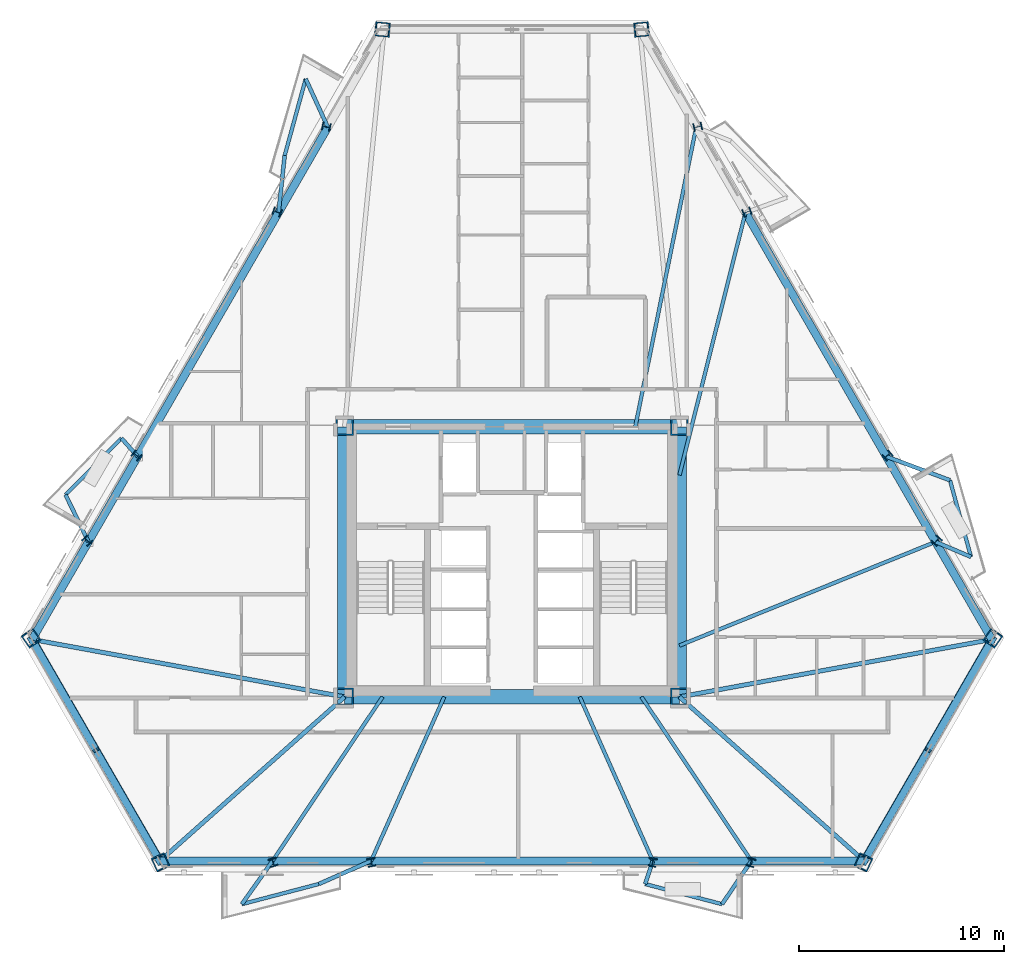
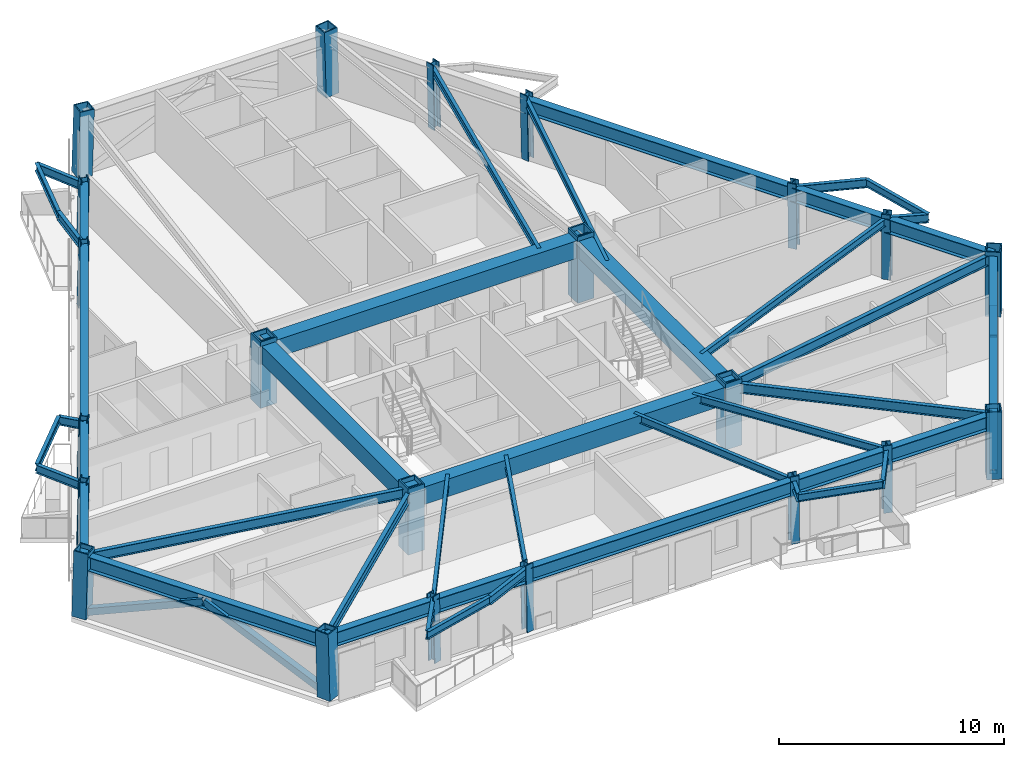
# One storey, part 1 of 11: 44 beams, 22 columns, 4 members.
"""IFC4 building model written with IfcOpenShell, lengths in metres."""

from ifc_helpers import new_model, si_unit, direction, frame, origin, origin_2d, place, context, subcontext, project, spatial, rectangle, hollow_rectangle, i_section, extrude, material, material_profile, profile_set, type_object, element, save


model = new_model("IFC4")

# Units and contexts
model_context = context("Model", 3, precision=1e-05, world=origin(), true_north=direction((0.0, 1.0)))
body_context = subcontext(model_context, "Body", "Model", "MODEL_VIEW")
ifc_project = project(units=[si_unit("LENGTHUNIT", "METRE"), si_unit("AREAUNIT", "SQUARE_METRE"), si_unit("VOLUMEUNIT", "CUBIC_METRE"), si_unit("PLANEANGLEUNIT", "RADIAN"), si_unit("MASSUNIT", "GRAM", prefix="KILO")], contexts=[model_context])

# Site, building, storey
site_placement = place(None, origin())
site = spatial("IfcSite", under=ifc_project, at=site_placement, CompositionType="ELEMENT")
building_placement = place(site_placement, origin())
building = spatial("IfcBuilding", under=site, at=building_placement, Name="Oramaril Tower", CompositionType="ELEMENT")
storey_placement = place(building_placement, frame((0.0, 0.0, 86.10009765625)))
storey = spatial("IfcBuildingStorey", under=building, at=storey_placement, Name="L22", CompositionType="ELEMENT", Elevation=86.10009765625)

# Columns
ifc_material_1 = material(Name="Steel ASTM A572 Gr 50", Category="steel")
ifc_material_profile_1 = material_profile(ifc_material_1, hollow_rectangle(XDim=0.85009765625, YDim=0.85009765625, WallThickness=0.070068359375, at=origin_2d()), Name="BOX850X850X70")
ifc_profile_set_1 = profile_set([ifc_material_profile_1], Name="Steel ASTM A572 Gr 50")
column_type_1 = type_object("IfcColumnType", Name="CT-CC3", PredefinedType="COLUMN", material=ifc_profile_set_1)
for number, where, z_axis, x_axis, name in (
    (1, (29.35009765625, 11.0, 0.0), (0.0, 0.0, 1.0), (1.0, 0.0, 0.0), "L22 Core Column CC-1"),
    (2, (45.64990234375, 11.0, 0.0), (0.0, 0.0, 1.0), (1.0, 0.0, 0.0), "L22 Core Column CC-2"),
    (3, (45.64990234375, 24.14990234375, 0.0), (0.0, 0.0, 1.0), (1.0, 0.0, 0.0), "L22 Core Column CC-3"),
    (4, (29.35009765625, 24.14990234375, 0.0), (0.0, 0.0, 1.0), (1.0, 0.0, 0.0), "L22 Core Column CC-4"),
):
    element("IfcColumn", number, at=place(storey_placement, frame(where, z_axis=z_axis, x_axis=x_axis)), inside=storey, type_object=column_type_1, Name=name, PredefinedType="COLUMN", context=body_context, shape_type="SweptSolid", body=[
        extrude(hollow_rectangle(XDim=0.85009765625, YDim=0.85009765625, WallThickness=0.070068359375, at=origin_2d()), origin(), (0.0, 0.0, 1.0), 3.599853515625),
    ])
ifc_material_2 = material(Name="Steel ASTM A572 Gr 50", Category="steel")
ifc_material_profile_2 = material_profile(ifc_material_2, hollow_rectangle(XDim=0.699951171875, YDim=0.699951171875, WallThickness=0.054931640625, at=origin_2d()), Name="BOX700X700X55")
ifc_profile_set_2 = profile_set([ifc_material_profile_2], Name="Steel ASTM A572 Gr 50")
column_type_2 = type_object("IfcColumnType", Name="CT-TC4", PredefinedType="COLUMN", material=ifc_profile_set_2)
for number, where, z_axis, x_axis, name in (
    (5, (14.082763671875, 13.87939453125, 0.00439453125), (0.015970507706, -0.022562589611, 0.999617863203), (0.816217703833, 0.577744459038, 0.0), "L22 Tube Column TC-01"),
    (6, (20.404052734375, 2.930419921875, 0.00439453125), (-0.011485192909, 0.02507713718, 0.999619541393), (-0.909181442801, -0.41640017299, 0.0), "L22 Tube Column TC-02"),
    (7, (54.595947265625, 2.930419921875, 0.00439453125), (0.011485192909, 0.02507713718, 0.999619541393), (-0.909181442801, 0.41640017299, 0.0), "L22 Tube Column TC-03"),
    (8, (60.917236328125, 13.87939453125, 0.00439453125), (-0.015970507706, -0.022562589611, 0.999617863203), (0.816217703833, -0.577744459038, 0.0), "L22 Tube Column TC-04"),
    (9, (43.8212890625, 43.490478515625, 0.00439453125), (-0.027523634775, -0.002650424089, 0.999617639291), (0.095852900965, -0.995395510024, 0.0), "L22 Tube Column TC-05"),
    (10, (31.1787109375, 43.490478515625, 0.00439453125), (0.027523634775, -0.002650424089, 0.999617639291), (0.095852900965, 0.995395510024, 0.0), "L22 Tube Column TC-06"),
):
    element("IfcColumn", number, at=place(storey_placement, frame(where, z_axis=z_axis, x_axis=x_axis)), inside=storey, type_object=column_type_2, Name=name, PredefinedType="COLUMN", context=body_context, shape_type="SweptSolid", body=[
        extrude(hollow_rectangle(XDim=0.699951171875, YDim=0.699951171875, WallThickness=0.054931640625, at=origin_2d()), origin(), (0.0, 0.0, 1.0), 3.592529296875),
    ])
ifc_material_3 = material(Name="Steel ASTM A572 Gr 50", Category="steel")
ifc_material_profile_3 = material_profile(ifc_material_3, i_section(OverallWidth=0.404052734375, OverallDepth=0.406005859375, WebThickness=0.027099609375, FlangeThickness=0.043701171875, at=origin_2d()), Name="W14X233")
ifc_profile_set_3 = profile_set([ifc_material_profile_3], Name="Steel ASTM A572 Gr 50")
column_type_3 = type_object("IfcColumnType", Name="CT-TF3", PredefinedType="COLUMN", material=ifc_profile_set_3)
for number, where, z_axis, x_axis, name in (
    (11, (25.874755859375, 2.930419921875, 0.00439453125), (-0.00781564475, 0.02507802533, 0.99965494464), (-0.954709879723, -0.297538309399, 0.0), "L22 Tube Column TC-07"),
    (12, (30.66162109375, 2.930419921875, 0.00439453125), (-0.004621516522, 0.025078523478, 0.999674801746), (-0.983440690565, -0.18123026276, 0.0), "L22 Tube Column TC-08"),
    (13, (44.33837890625, 2.930419921875, 0.00439453125), (0.004621516522, 0.025078523478, 0.999674801746), (-0.983440690565, 0.18123026276, 0.0), "L22 Tube Column TC-09"),
    (14, (49.125244140625, 2.930419921875, 0.00439453125), (0.00781564475, 0.02507802533, 0.99965494464), (-0.954709879723, 0.297538309399, 0.0), "L22 Tube Column TC-10"),
    (15, (58.181884765625, 18.6171875, 0.00439453125), (-0.017806057743, -0.01936918495, 0.999653829574), (0.736188374921, -0.676776681506, 0.0), "L22 Tube Column TC-11"),
    (16, (55.78857421875, 22.7626953125, 0.00439453125), (-0.019505467807, -0.016583045801, 0.999672215938), (0.647725473753, -0.761873815439, 0.0), "L22 Tube Column TC-12"),
    (17, (48.9501953125, 34.607177734375, 0.00439453125), (-0.024059034632, -0.008631348583, 0.999673277963), (0.337683562544, -0.94125969402, 0.0), "L22 Tube Column TC-13"),
    (18, (46.556640625, 38.752685546875, 0.00439453125), (-0.025621714131, -0.005844741155, 0.999654623741), (0.222403463218, -0.974954716666, 0.0), "L22 Tube Column TC-14"),
    (19, (28.443359375, 38.752685546875, 0.00439453125), (0.025621714131, -0.005844741155, 0.999654623741), (0.222403463218, 0.974954716666, 0.0), "L22 Tube Column TC-15"),
    (20, (26.0498046875, 34.607177734375, 0.00439453125), (0.024059034632, -0.008631348583, 0.999673277963), (0.337683562544, 0.94125969402, 0.0), "L22 Tube Column TC-16"),
    (21, (19.21142578125, 22.7626953125, 0.00439453125), (0.019505467807, -0.016583045801, 0.999672215938), (0.647725473753, 0.761873815439, 0.0), "L22 Tube Column TC-17"),
    (22, (16.818115234375, 18.6171875, 0.00439453125), (0.017806057743, -0.01936918495, 0.999653829574), (0.736188374921, 0.676776681506, 0.0), "L22 Tube Column TC-18"),
):
    element("IfcColumn", number, at=place(storey_placement, frame(where, z_axis=z_axis, x_axis=x_axis)), inside=storey, type_object=column_type_3, Name=name, PredefinedType="COLUMN", context=body_context, shape_type="SweptSolid", body=[
        extrude(i_section(OverallWidth=0.404052734375, OverallDepth=0.406005859375, WebThickness=0.027099609375, FlangeThickness=0.043701171875, at=origin_2d()), origin(), (0.0, 0.0, 1.0), 3.59228515625),
    ])

# Beams
ifc_material_4 = material(Name="Steel ASTM A572 Gr 50", Category="steel")
ifc_material_profile_4 = material_profile(ifc_material_4, i_section(OverallWidth=0.19091796875, OverallDepth=0.45703125, WebThickness=0.009033203125, FlangeThickness=0.014404296875, at=origin_2d()), Name="W18X50")
ifc_profile_set_4 = profile_set([ifc_material_profile_4], Name="Steel ASTM A572 Gr 50")
beam_type_1 = type_object("IfcBeamType", Name="BT-BB1", PredefinedType="BEAM", material=ifc_profile_set_4)
beam_1_placement = place(storey_placement, frame((25.8466796875, 3.0205078125, 3.13134765625), z_axis=(-0.578913128736, -0.815389225694, 0.0), x_axis=(0.815389225694, -0.578913128736, 0.0)))
element("IfcBeam", 23, at=beam_1_placement, inside=storey, type_object=beam_type_1, Name="L22 Balcony Column-Framed Cantilever 01.1", PredefinedType="BEAM", context=body_context, shape_type="SweptSolid", body=[
    extrude(i_section(OverallWidth=0.19091796875, OverallDepth=0.45703125, WebThickness=0.009033203125, FlangeThickness=0.014404296875, at=origin_2d()), origin(), (0.0, 0.0, 1.0), 2.585205078125),
])
beam_2_placement = place(storey_placement, frame((30.64501953125, 3.0205078125, 3.13134765625), z_axis=(-0.914589503802, -0.404383530248, 0.0), x_axis=(0.404383530248, -0.914589503802, 0.0)))
element("IfcBeam", 24, at=beam_2_placement, inside=storey, type_object=beam_type_1, Name="L22 Balcony Column-Framed Cantilever 01.2", PredefinedType="BEAM", context=body_context, shape_type="SweptSolid", body=[
    extrude(i_section(OverallWidth=0.19091796875, OverallDepth=0.45703125, WebThickness=0.009033203125, FlangeThickness=0.014404296875, at=origin_2d()), origin(), (0.0, 0.0, 1.0), 2.789306640625),
])
beam_3_placement = place(storey_placement, frame((44.35498046875, 3.0205078125, 3.13134765625), z_axis=(-0.314748147487, -0.94917522284, 0.0), x_axis=(0.94917522284, -0.314748147487, 0.0)))
element("IfcBeam", 25, at=beam_3_placement, inside=storey, type_object=beam_type_1, Name="L22 Balcony Column-Framed Cantilever 02.1", PredefinedType="BEAM", context=body_context, shape_type="SweptSolid", body=[
    extrude(i_section(OverallWidth=0.19091796875, OverallDepth=0.45703125, WebThickness=0.009033203125, FlangeThickness=0.014404296875, at=origin_2d()), origin(), (0.0, 0.0, 1.0), 1.188232421875),
])
beam_4_placement = place(storey_placement, frame((49.1533203125, 3.0205078125, 3.13134765625), z_axis=(-0.56099017789, -0.827822456999, 0.0), x_axis=(0.827822456999, -0.56099017789, 0.0)))
element("IfcBeam", 26, at=beam_4_placement, inside=storey, type_object=beam_type_1, Name="L22 Balcony Column-Framed Cantilever 02.2", PredefinedType="BEAM", context=body_context, shape_type="SweptSolid", body=[
    extrude(i_section(OverallWidth=0.19091796875, OverallDepth=0.45703125, WebThickness=0.009033203125, FlangeThickness=0.014404296875, at=origin_2d()), origin(), (0.0, 0.0, 1.0), 2.54638671875),
])
beam_5_placement = place(storey_placement, frame((58.117919921875, 18.547607421875, 3.13134765625), z_axis=(0.920520739238, -0.390693701808, 0.0), x_axis=(0.390693701808, 0.920520739238, 0.0)))
element("IfcBeam", 27, at=beam_5_placement, inside=storey, type_object=beam_type_1, Name="L22 Balcony Column-Framed Cantilever 03.1", PredefinedType="BEAM", context=body_context, shape_type="SweptSolid", body=[
    extrude(i_section(OverallWidth=0.19091796875, OverallDepth=0.45703125, WebThickness=0.009033203125, FlangeThickness=0.014404296875, at=origin_2d()), origin(), (0.0, 0.0, 1.0), 1.8740234375),
])
beam_6_placement = place(storey_placement, frame((55.718505859375, 22.703125, 3.13134765625), z_axis=(0.937084954202, -0.349101401613, 0.0), x_axis=(0.349101401613, 0.937084954202, 0.0)))
element("IfcBeam", 28, at=beam_6_placement, inside=storey, type_object=beam_type_1, Name="L22 Balcony Column-Framed Cantilever 03.2", PredefinedType="BEAM", context=body_context, shape_type="SweptSolid", body=[
    extrude(i_section(OverallWidth=0.19091796875, OverallDepth=0.45703125, WebThickness=0.009033203125, FlangeThickness=0.014404296875, at=origin_2d()), origin(), (0.0, 0.0, 1.0), 3.309326171875),
])
beam_7_placement = place(storey_placement, frame((28.535400390625, 38.731689453125, 3.13134765625), z_axis=(-0.416661214116, 0.909061842039, 0.0), x_axis=(-0.909061842039, -0.416661214116, 0.0)))
element("IfcBeam", 29, at=beam_7_placement, inside=storey, type_object=beam_type_1, Name="L22 Balcony Column-Framed Cantilever 05.1", PredefinedType="BEAM", context=body_context, shape_type="SweptSolid", body=[
    extrude(i_section(OverallWidth=0.19091796875, OverallDepth=0.45703125, WebThickness=0.009033203125, FlangeThickness=0.014404296875, at=origin_2d()), origin(), (0.0, 0.0, 1.0), 2.585205078125),
])
beam_8_placement = place(storey_placement, frame((26.13623046875, 34.576171875, 3.13134765625), z_axis=(0.107049238494, 0.994253720404, 0.0), x_axis=(-0.994253720404, 0.107049238494, 0.0)))
element("IfcBeam", 30, at=beam_8_placement, inside=storey, type_object=beam_type_1, Name="L22 Balcony Column-Framed Cantilever 05.2", PredefinedType="BEAM", context=body_context, shape_type="SweptSolid", body=[
    extrude(i_section(OverallWidth=0.19091796875, OverallDepth=0.45703125, WebThickness=0.009033203125, FlangeThickness=0.014404296875, at=origin_2d()), origin(), (0.0, 0.0, 1.0), 2.789306640625),
])
beam_9_placement = place(storey_placement, frame((19.281494140625, 22.703125, 3.13134765625), z_axis=(-0.664720758977, 0.747091903708, 0.0), x_axis=(-0.747091903708, -0.664720758977, 0.0)))
element("IfcBeam", 31, at=beam_9_placement, inside=storey, type_object=beam_type_1, Name="L22 Balcony Column-Framed Cantilever 06.1", PredefinedType="BEAM", context=body_context, shape_type="SweptSolid", body=[
    extrude(i_section(OverallWidth=0.19091796875, OverallDepth=0.45703125, WebThickness=0.009033203125, FlangeThickness=0.014404296875, at=origin_2d()), origin(), (0.0, 0.0, 1.0), 1.1884765625),
])
beam_10_placement = place(storey_placement, frame((16.882080078125, 18.547607421875, 3.13134765625), z_axis=(-0.436442873789, 0.899731970044, 0.0), x_axis=(-0.899731970044, -0.436442873789, 0.0)))
element("IfcBeam", 32, at=beam_10_placement, inside=storey, type_object=beam_type_1, Name="L22 Balcony Column-Framed Cantilever 06.2", PredefinedType="BEAM", context=body_context, shape_type="SweptSolid", body=[
    extrude(i_section(OverallWidth=0.19091796875, OverallDepth=0.45703125, WebThickness=0.009033203125, FlangeThickness=0.014404296875, at=origin_2d()), origin(), (0.0, 0.0, 1.0), 2.54638671875),
])
ifc_material_5 = material(Name="Concrete C50/60", Category="concrete")
ifc_material_profile_5 = material_profile(ifc_material_5, rectangle(XDim=0.699951171875, YDim=0.949951171875, at=origin_2d()), Name="CB700X950")
ifc_profile_set_5 = profile_set([ifc_material_profile_5], Name="Concrete C50/60")
beam_type_2 = type_object("IfcBeamType", Name="BT-CB1", PredefinedType="BEAM", material=ifc_profile_set_5)
beam_11_placement = place(storey_placement, frame((29.35009765625, 11.0, 2.885009765625), z_axis=(1.0, 0.0, 0.0), x_axis=(0.0, 1.0, 0.0)))
element("IfcBeam", 33, at=beam_11_placement, inside=storey, type_object=beam_type_2, Name="L22 Core Header Beam CB-1", PredefinedType="BEAM", context=body_context, shape_type="SweptSolid", body=[
    extrude(rectangle(XDim=0.699951171875, YDim=0.949951171875, at=origin_2d()), origin(), (0.0, 0.0, 1.0), 16.2998046875),
])
beam_12_placement = place(storey_placement, frame((45.64990234375, 11.0, 2.885009765625), z_axis=(0.0, 1.0, 0.0), x_axis=(-1.0, 0.0, 0.0)))
element("IfcBeam", 34, at=beam_12_placement, inside=storey, type_object=beam_type_2, Name="L22 Core Header Beam CB-2", PredefinedType="BEAM", context=body_context, shape_type="SweptSolid", body=[
    extrude(rectangle(XDim=0.699951171875, YDim=0.949951171875, at=origin_2d()), origin(), (0.0, 0.0, 1.0), 13.14990234375),
])
beam_13_placement = place(storey_placement, frame((45.64990234375, 24.14990234375, 2.885009765625), z_axis=(-1.0, 0.0, 0.0), x_axis=(0.0, -1.0, 0.0)))
element("IfcBeam", 35, at=beam_13_placement, inside=storey, type_object=beam_type_2, Name="L22 Core Header Beam CB-3", PredefinedType="BEAM", context=body_context, shape_type="SweptSolid", body=[
    extrude(rectangle(XDim=0.699951171875, YDim=0.949951171875, at=origin_2d()), origin(), (0.0, 0.0, 1.0), 16.2998046875),
])
beam_14_placement = place(storey_placement, frame((29.35009765625, 24.14990234375, 2.885009765625), z_axis=(0.0, -1.0, 0.0), x_axis=(1.0, 0.0, 0.0)))
element("IfcBeam", 36, at=beam_14_placement, inside=storey, type_object=beam_type_2, Name="L22 Core Header Beam CB-4", PredefinedType="BEAM", context=body_context, shape_type="SweptSolid", body=[
    extrude(rectangle(XDim=0.699951171875, YDim=0.949951171875, at=origin_2d()), origin(), (0.0, 0.0, 1.0), 13.14990234375),
])
ifc_material_6 = material(Name="Steel ASTM A572 Gr 50", Category="steel")
ifc_material_profile_6 = material_profile(ifc_material_6, i_section(OverallWidth=0.2099609375, OverallDepth=0.535888671875, WebThickness=0.010986328125, FlangeThickness=0.017333984375, at=origin_2d()), Name="W21X68")
ifc_profile_set_6 = profile_set([ifc_material_profile_6], Name="Steel ASTM A572 Gr 50")
beam_type_3 = type_object("IfcBeamType", Name="BT-FB2", PredefinedType="BEAM", material=ifc_profile_set_6)
beam_15_placement = place(storey_placement, frame((29.35009765625, 11.0, 3.091796875), z_axis=(-0.983493428636, 0.180943847175, 0.0), x_axis=(-0.180943847175, -0.983493428636, 0.0)))
element("IfcBeam", 37, at=beam_15_placement, inside=storey, type_object=beam_type_3, Name="L22 Radial Primary Beam RB-01", PredefinedType="BEAM", context=body_context, shape_type="SweptSolid", body=[
    extrude(i_section(OverallWidth=0.2099609375, OverallDepth=0.535888671875, WebThickness=0.010986328125, FlangeThickness=0.017333984375, at=origin_2d()), origin(), (0.0, 0.0, 1.0), 15.46533203125),
])
for number, where, z_axis, x_axis, name in (
    (38, (29.35009765625, 11.0, 3.091796875), (-0.747790253922, -0.663935039096, 0.0), (0.663935039096, -0.747790253922, 0.0), "L22 Radial Primary Beam RB-02"),
    (39, (45.64990234375, 11.0, 3.091796875), (0.747790253922, -0.663935039096, 0.0), (0.663935039096, 0.747790253922, 0.0), "L22 Radial Primary Beam RB-03"),
):
    element("IfcBeam", number, at=place(storey_placement, frame(where, z_axis=z_axis, x_axis=x_axis)), inside=storey, type_object=beam_type_3, Name=name, PredefinedType="BEAM", context=body_context, shape_type="SweptSolid", body=[
        extrude(i_section(OverallWidth=0.2099609375, OverallDepth=0.535888671875, WebThickness=0.010986328125, FlangeThickness=0.017333984375, at=origin_2d()), origin(), (0.0, 0.0, 1.0), 12.0185546875),
    ])
beam_16_placement = place(storey_placement, frame((45.64990234375, 11.0, 3.091796875), z_axis=(0.983493428636, 0.180943847175, 0.0), x_axis=(-0.180943847175, 0.983493428636, 0.0)))
element("IfcBeam", 40, at=beam_16_placement, inside=storey, type_object=beam_type_3, Name="L22 Radial Primary Beam RB-04", PredefinedType="BEAM", context=body_context, shape_type="SweptSolid", body=[
    extrude(i_section(OverallWidth=0.2099609375, OverallDepth=0.535888671875, WebThickness=0.010986328125, FlangeThickness=0.017333984375, at=origin_2d()), origin(), (0.0, 0.0, 1.0), 15.46533203125),
])
ifc_material_7 = material(Name="Steel ASTM A572 Gr 50", Category="steel")
ifc_material_profile_7 = material_profile(ifc_material_7, i_section(OverallWidth=0.177978515625, OverallDepth=0.404052734375, WebThickness=0.007568359375, FlangeThickness=0.010986328125, at=origin_2d()), Name="W16X36")
ifc_profile_set_7 = profile_set([ifc_material_profile_7], Name="Steel ASTM A572 Gr 50")
beam_type_4 = type_object("IfcBeamType", Name="BT-SB1", PredefinedType="BEAM", material=ifc_profile_set_7)
beam_17_placement = place(storey_placement, frame((31.199951171875, 11.0, 3.157958984375), z_axis=(-0.557119417029, -0.830432390486, 0.0), x_axis=(0.830432390486, -0.557119417029, 0.0)))
element("IfcBeam", 41, at=beam_17_placement, inside=storey, type_object=beam_type_4, Name="L22 Secondary Floor Beam SB-01", PredefinedType="BEAM", context=body_context, shape_type="SweptSolid", body=[
    extrude(i_section(OverallWidth=0.177978515625, OverallDepth=0.404052734375, WebThickness=0.007568359375, FlangeThickness=0.010986328125, at=origin_2d()), origin(), (0.0, 0.0, 1.0), 9.60888671875),
])
for number, where, z_axis, x_axis, name in (
    (42, (34.199951171875, 11.0, 3.157958984375), (-0.406949948595, -0.913450458065, 0.0), (0.913450458065, -0.406949948595, 0.0), "L22 Secondary Floor Beam SB-02"),
    (43, (40.800048828125, 11.0, 3.157958984375), (0.406949948595, -0.913450458065, 0.0), (0.913450458065, 0.406949948595, 0.0), "L22 Secondary Floor Beam SB-03"),
):
    element("IfcBeam", number, at=place(storey_placement, frame(where, z_axis=z_axis, x_axis=x_axis)), inside=storey, type_object=beam_type_4, Name=name, PredefinedType="BEAM", context=body_context, shape_type="SweptSolid", body=[
        extrude(i_section(OverallWidth=0.177978515625, OverallDepth=0.404052734375, WebThickness=0.007568359375, FlangeThickness=0.010986328125, at=origin_2d()), origin(), (0.0, 0.0, 1.0), 8.735595703125),
    ])
beam_18_placement = place(storey_placement, frame((43.800048828125, 11.0, 3.157958984375), z_axis=(0.557119417029, -0.830432390486, 0.0), x_axis=(0.830432390486, 0.557119417029, 0.0)))
element("IfcBeam", 44, at=beam_18_placement, inside=storey, type_object=beam_type_4, Name="L22 Secondary Floor Beam SB-04", PredefinedType="BEAM", context=body_context, shape_type="SweptSolid", body=[
    extrude(i_section(OverallWidth=0.177978515625, OverallDepth=0.404052734375, WebThickness=0.007568359375, FlangeThickness=0.010986328125, at=origin_2d()), origin(), (0.0, 0.0, 1.0), 9.60888671875),
])
beam_19_placement = place(storey_placement, frame((45.64990234375, 13.5, 3.157958984375), z_axis=(0.926920208651, 0.375258479976, 0.0), x_axis=(-0.375258479976, 0.926920208651, 0.0)))
element("IfcBeam", 45, at=beam_19_placement, inside=storey, type_object=beam_type_4, Name="L22 Secondary Floor Beam SB-05", PredefinedType="BEAM", context=body_context, shape_type="SweptSolid", body=[
    extrude(i_section(OverallWidth=0.177978515625, OverallDepth=0.404052734375, WebThickness=0.007568359375, FlangeThickness=0.010986328125, at=origin_2d()), origin(), (0.0, 0.0, 1.0), 13.450927734375),
])
beam_20_placement = place(storey_placement, frame((45.64990234375, 21.800048828125, 3.157958984375), z_axis=(0.243952503272, 0.969787180853, 0.0), x_axis=(-0.969787180853, 0.243952503272, 0.0)))
element("IfcBeam", 46, at=beam_20_placement, inside=storey, type_object=beam_type_4, Name="L22 Secondary Floor Beam SB-06", PredefinedType="BEAM", context=body_context, shape_type="SweptSolid", body=[
    extrude(i_section(OverallWidth=0.177978515625, OverallDepth=0.404052734375, WebThickness=0.007568359375, FlangeThickness=0.010986328125, at=origin_2d()), origin(), (0.0, 0.0, 1.0), 13.174072265625),
])
beam_21_placement = place(storey_placement, frame((43.5, 24.14990234375, 3.157958984375), z_axis=(0.199232510225, 0.979952247239, 0.0), x_axis=(-0.979952247239, 0.199232510225, 0.0)))
element("IfcBeam", 47, at=beam_21_placement, inside=storey, type_object=beam_type_4, Name="L22 Secondary Floor Beam SB-07", PredefinedType="BEAM", context=body_context, shape_type="SweptSolid", body=[
    extrude(i_section(OverallWidth=0.177978515625, OverallDepth=0.404052734375, WebThickness=0.007568359375, FlangeThickness=0.010986328125, at=origin_2d()), origin(), (0.0, 0.0, 1.0), 14.880126953125),
])
for number, where, z_axis, x_axis, name in (
    (48, (24.35009765625, 0.91259765625, 3.157958984375), (0.967407922874, 0.253223045479, 0.0), (-0.253223045479, 0.967407922874, 0.0), "L22 Balcony Edge Tie Beam 01"),
    (49, (43.98095703125, 1.892578125, 3.157958984375), (0.967407922874, -0.253223045479, 0.0), (0.253223045479, 0.967407922874, 0.0), "L22 Balcony Edge Tie Beam 02"),
    (50, (59.843017578125, 17.8154296875, 3.157958984375), (-0.264440915482, 0.964401888332, 0.0), (-0.964401888332, -0.264440915482, 0.0), "L22 Balcony Edge Tie Beam 03"),
    (51, (27.458251953125, 41.081787109375, 3.157958984375), (-0.264440915482, -0.964401888332, 0.0), (0.964401888332, -0.264440915482, 0.0), "L22 Balcony Edge Tie Beam 05"),
    (52, (18.491455078125, 23.591064453125, 3.157958984375), (-0.702994511648, -0.71119527318, 0.0), (0.71119527318, -0.702994511648, 0.0), "L22 Balcony Edge Tie Beam 06"),
):
    element("IfcBeam", number, at=place(storey_placement, frame(where, z_axis=z_axis, x_axis=x_axis)), inside=storey, type_object=beam_type_4, Name=name, PredefinedType="BEAM", context=body_context, shape_type="SweptSolid", body=[
        extrude(i_section(OverallWidth=0.177978515625, OverallDepth=0.404052734375, WebThickness=0.007568359375, FlangeThickness=0.010986328125, at=origin_2d()), origin(), (0.0, 0.0, 1.0), 3.8701171875),
    ])
ifc_material_8 = material(Name="Steel ASTM A572 Gr 50", Category="steel")
ifc_material_profile_8 = material_profile(ifc_material_8, i_section(OverallWidth=0.381103515625, OverallDepth=0.77197265625, WebThickness=0.0166015625, FlangeThickness=0.027099609375, at=origin_2d()), Name="W30X173")
ifc_profile_set_8 = profile_set([ifc_material_profile_8], Name="Steel ASTM A572 Gr 50")
beam_type_5 = type_object("IfcBeamType", Name="BT-SP2", PredefinedType="SPANDREL", material=ifc_profile_set_8)
beam_22_placement = place(storey_placement, frame((14.14013671875, 13.79833984375, 2.973876953125), z_axis=(0.50000434055, -0.866022897752, 0.0), x_axis=(0.866022897752, 0.50000434055, 0.0)))
element("IfcBeam", 53, at=beam_22_placement, inside=storey, type_object=beam_type_5, Name="L22 Perimeter Spandrel 01", PredefinedType="SPANDREL", context=body_context, shape_type="SweptSolid", body=[
    extrude(i_section(OverallWidth=0.381103515625, OverallDepth=0.77197265625, WebThickness=0.0166015625, FlangeThickness=0.027099609375, at=origin_2d()), origin(), (0.0, 0.0, 1.0), 12.4453125),
])
beam_23_placement = place(storey_placement, frame((20.36279296875, 3.0205078125, 2.973876953125), z_axis=(1.0, 0.0, 0.0), x_axis=(0.0, 1.0, 0.0)))
element("IfcBeam", 54, at=beam_23_placement, inside=storey, type_object=beam_type_5, Name="L22 Perimeter Spandrel 02", PredefinedType="SPANDREL", context=body_context, shape_type="SweptSolid", body=[
    extrude(i_section(OverallWidth=0.381103515625, OverallDepth=0.77197265625, WebThickness=0.0166015625, FlangeThickness=0.027099609375, at=origin_2d()), origin(), (0.0, 0.0, 1.0), 5.48388671875),
])
beam_24_placement = place(storey_placement, frame((25.8466796875, 3.0205078125, 2.973876953125), z_axis=(1.0, 0.0, 0.0), x_axis=(0.0, 1.0, 0.0)))
element("IfcBeam", 55, at=beam_24_placement, inside=storey, type_object=beam_type_5, Name="L22 Perimeter Spandrel 03", PredefinedType="SPANDREL", context=body_context, shape_type="SweptSolid", body=[
    extrude(i_section(OverallWidth=0.381103515625, OverallDepth=0.77197265625, WebThickness=0.0166015625, FlangeThickness=0.027099609375, at=origin_2d()), origin(), (0.0, 0.0, 1.0), 4.79833984375),
])
beam_25_placement = place(storey_placement, frame((30.64501953125, 3.0205078125, 2.973876953125), z_axis=(1.0, 0.0, 0.0), x_axis=(0.0, 1.0, 0.0)))
element("IfcBeam", 56, at=beam_25_placement, inside=storey, type_object=beam_type_5, Name="L22 Perimeter Spandrel 04", PredefinedType="SPANDREL", context=body_context, shape_type="SweptSolid", body=[
    extrude(i_section(OverallWidth=0.381103515625, OverallDepth=0.77197265625, WebThickness=0.0166015625, FlangeThickness=0.027099609375, at=origin_2d()), origin(), (0.0, 0.0, 1.0), 13.7099609375),
])
beam_26_placement = place(storey_placement, frame((44.35498046875, 3.0205078125, 2.973876953125), z_axis=(1.0, 0.0, 0.0), x_axis=(0.0, 1.0, 0.0)))
element("IfcBeam", 57, at=beam_26_placement, inside=storey, type_object=beam_type_5, Name="L22 Perimeter Spandrel 05", PredefinedType="SPANDREL", context=body_context, shape_type="SweptSolid", body=[
    extrude(i_section(OverallWidth=0.381103515625, OverallDepth=0.77197265625, WebThickness=0.0166015625, FlangeThickness=0.027099609375, at=origin_2d()), origin(), (0.0, 0.0, 1.0), 4.79833984375),
])
beam_27_placement = place(storey_placement, frame((49.1533203125, 3.0205078125, 2.973876953125), z_axis=(1.0, 0.0, 0.0), x_axis=(0.0, 1.0, 0.0)))
element("IfcBeam", 58, at=beam_27_placement, inside=storey, type_object=beam_type_5, Name="L22 Perimeter Spandrel 06", PredefinedType="SPANDREL", context=body_context, shape_type="SweptSolid", body=[
    extrude(i_section(OverallWidth=0.381103515625, OverallDepth=0.77197265625, WebThickness=0.0166015625, FlangeThickness=0.027099609375, at=origin_2d()), origin(), (0.0, 0.0, 1.0), 5.48388671875),
])
beam_28_placement = place(storey_placement, frame((54.63720703125, 3.0205078125, 2.973876953125), z_axis=(0.50000434055, 0.866022897752, 0.0), x_axis=(-0.866022897752, 0.50000434055, 0.0)))
element("IfcBeam", 59, at=beam_28_placement, inside=storey, type_object=beam_type_5, Name="L22 Perimeter Spandrel 07", PredefinedType="SPANDREL", context=body_context, shape_type="SweptSolid", body=[
    extrude(i_section(OverallWidth=0.381103515625, OverallDepth=0.77197265625, WebThickness=0.0166015625, FlangeThickness=0.027099609375, at=origin_2d()), origin(), (0.0, 0.0, 1.0), 12.4453125),
])
beam_29_placement = place(storey_placement, frame((60.85986328125, 13.79833984375, 2.973876953125), z_axis=(-0.499993496201, 0.866029158722, 0.0), x_axis=(-0.866029158722, -0.499993496201, 0.0)))
element("IfcBeam", 60, at=beam_29_placement, inside=storey, type_object=beam_type_5, Name="L22 Perimeter Spandrel 08", PredefinedType="SPANDREL", context=body_context, shape_type="SweptSolid", body=[
    extrude(i_section(OverallWidth=0.381103515625, OverallDepth=0.77197265625, WebThickness=0.0166015625, FlangeThickness=0.027099609375, at=origin_2d()), origin(), (0.0, 0.0, 1.0), 5.48388671875),
])
beam_30_placement = place(storey_placement, frame((58.117919921875, 18.547607421875, 2.973876953125), z_axis=(-0.500035146599, 0.866005110935, 0.0), x_axis=(-0.866005110935, -0.500035146599, 0.0)))
element("IfcBeam", 61, at=beam_30_placement, inside=storey, type_object=beam_type_5, Name="L22 Perimeter Spandrel 09", PredefinedType="SPANDREL", context=body_context, shape_type="SweptSolid", body=[
    extrude(i_section(OverallWidth=0.381103515625, OverallDepth=0.77197265625, WebThickness=0.0166015625, FlangeThickness=0.027099609375, at=origin_2d()), origin(), (0.0, 0.0, 1.0), 4.798583984375),
])
beam_31_placement = place(storey_placement, frame((55.718505859375, 22.703125, 2.973876953125), z_axis=(-0.499990673678, 0.866030788272, 0.0), x_axis=(-0.866030788272, -0.499990673678, 0.0)))
element("IfcBeam", 62, at=beam_31_placement, inside=storey, type_object=beam_type_5, Name="L22 Perimeter Spandrel 10", PredefinedType="SPANDREL", context=body_context, shape_type="SweptSolid", body=[
    extrude(i_section(OverallWidth=0.381103515625, OverallDepth=0.77197265625, WebThickness=0.0166015625, FlangeThickness=0.027099609375, at=origin_2d()), origin(), (0.0, 0.0, 1.0), 13.709716796875),
])
beam_32_placement = place(storey_placement, frame((28.535400390625, 38.731689453125, 2.973876953125), z_axis=(-0.499996987961, -0.866027142779, 0.0), x_axis=(0.866027142779, -0.499996987961, 0.0)))
element("IfcBeam", 63, at=beam_32_placement, inside=storey, type_object=beam_type_5, Name="L22 Perimeter Spandrel 15", PredefinedType="SPANDREL", context=body_context, shape_type="SweptSolid", body=[
    extrude(i_section(OverallWidth=0.381103515625, OverallDepth=0.77197265625, WebThickness=0.0166015625, FlangeThickness=0.027099609375, at=origin_2d()), origin(), (0.0, 0.0, 1.0), 4.79833984375),
])
beam_33_placement = place(storey_placement, frame((26.13623046875, 34.576171875, 2.973876953125), z_axis=(-0.499990673678, -0.866030788272, 0.0), x_axis=(0.866030788272, -0.499990673678, 0.0)))
element("IfcBeam", 64, at=beam_33_placement, inside=storey, type_object=beam_type_5, Name="L22 Perimeter Spandrel 16", PredefinedType="SPANDREL", context=body_context, shape_type="SweptSolid", body=[
    extrude(i_section(OverallWidth=0.381103515625, OverallDepth=0.77197265625, WebThickness=0.0166015625, FlangeThickness=0.027099609375, at=origin_2d()), origin(), (0.0, 0.0, 1.0), 13.709716796875),
])
beam_34_placement = place(storey_placement, frame((19.281494140625, 22.703125, 2.973876953125), z_axis=(-0.500035146599, -0.866005110935, 0.0), x_axis=(0.866005110935, -0.500035146599, 0.0)))
element("IfcBeam", 65, at=beam_34_placement, inside=storey, type_object=beam_type_5, Name="L22 Perimeter Spandrel 17", PredefinedType="SPANDREL", context=body_context, shape_type="SweptSolid", body=[
    extrude(i_section(OverallWidth=0.381103515625, OverallDepth=0.77197265625, WebThickness=0.0166015625, FlangeThickness=0.027099609375, at=origin_2d()), origin(), (0.0, 0.0, 1.0), 4.798583984375),
])
beam_35_placement = place(storey_placement, frame((16.882080078125, 18.547607421875, 2.973876953125), z_axis=(-0.499993496201, -0.866029158722, 0.0), x_axis=(0.866029158722, -0.499993496201, 0.0)))
element("IfcBeam", 66, at=beam_35_placement, inside=storey, type_object=beam_type_5, Name="L22 Perimeter Spandrel 18", PredefinedType="SPANDREL", context=body_context, shape_type="SweptSolid", body=[
    extrude(i_section(OverallWidth=0.381103515625, OverallDepth=0.77197265625, WebThickness=0.0166015625, FlangeThickness=0.027099609375, at=origin_2d()), origin(), (0.0, 0.0, 1.0), 5.48388671875),
])

# Members
ifc_material_9 = material(Name="Steel ASTM A572 Gr 50", Category="steel")
ifc_material_profile_9 = material_profile(ifc_material_9, hollow_rectangle(XDim=0.35009765625, YDim=0.35009765625, WallThickness=0.01611328125, at=origin_2d()), Name="HSS350X350X16")
ifc_profile_set_9 = profile_set([ifc_material_profile_9], Name="Steel ASTM A572 Gr 50")
member_type = type_object("IfcMemberType", Name="MT-KB1", PredefinedType="BRACE", material=ifc_profile_set_9)
member_1_placement = place(storey_placement, frame((14.082763671875, 13.87939453125, 0.179931640625), z_axis=(0.457310296981, -0.792115410127, 0.404252976877), x_axis=(0.866033806063, 0.499985446544, 0.0)))
element("IfcMember", 67, at=member_1_placement, inside=storey, type_object=member_type, Name="L22 Perimeter Chevron Brace KB-1A", PredefinedType="BRACE", context=body_context, shape_type="SweptSolid", body=[
    extrude(hollow_rectangle(XDim=0.35009765625, YDim=0.35009765625, WallThickness=0.01611328125, at=origin_2d()), origin(), (0.0, 0.0, 1.0), 6.911376953125),
])
for number, where, z_axis, x_axis, name in (
    (68, (20.404052734375, 2.930419921875, 0.179931640625), (-0.45732309325, 0.79210224934, 0.404264288518), (-0.86602415093, -0.500002170001, 0.0), "L22 Perimeter Chevron Brace KB-1B"),
    (69, (54.595947265625, 2.930419921875, 0.179931640625), (0.45732309325, 0.79210224934, 0.404264288518), (-0.86602415093, 0.500002170001, 0.0), "L22 Perimeter Chevron Brace KB-2A"),
):
    element("IfcMember", number, at=place(storey_placement, frame(where, z_axis=z_axis, x_axis=x_axis)), inside=storey, type_object=member_type, Name=name, PredefinedType="BRACE", context=body_context, shape_type="SweptSolid", body=[
        extrude(hollow_rectangle(XDim=0.35009765625, YDim=0.35009765625, WallThickness=0.01611328125, at=origin_2d()), origin(), (0.0, 0.0, 1.0), 6.9111328125),
    ])
member_2_placement = place(storey_placement, frame((60.917236328125, 13.87939453125, 0.179931640625), z_axis=(-0.457310296981, -0.792115410127, 0.404252976877), x_axis=(0.866033806063, -0.499985446544, 0.0)))
element("IfcMember", 70, at=member_2_placement, inside=storey, type_object=member_type, Name="L22 Perimeter Chevron Brace KB-2B", PredefinedType="BRACE", context=body_context, shape_type="SweptSolid", body=[
    extrude(hollow_rectangle(XDim=0.35009765625, YDim=0.35009765625, WallThickness=0.01611328125, at=origin_2d()), origin(), (0.0, 0.0, 1.0), 6.911376953125),
])

save(model, "model.ifc")
